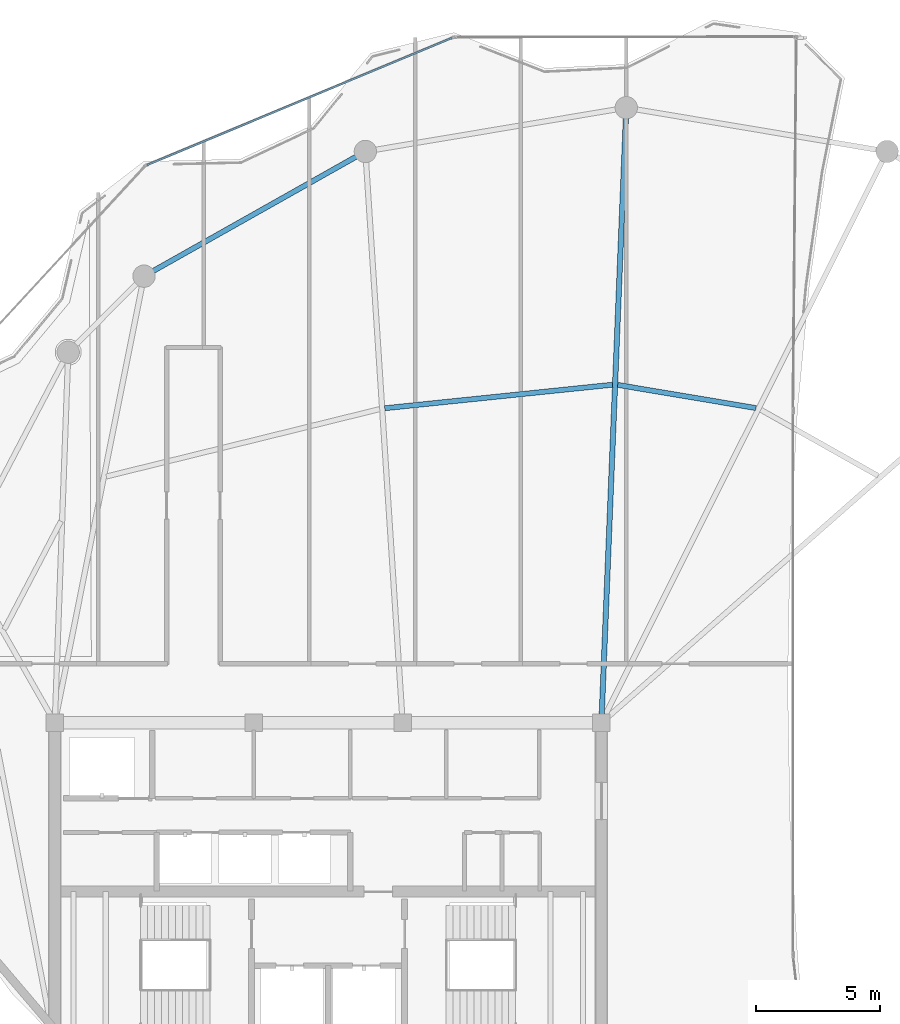
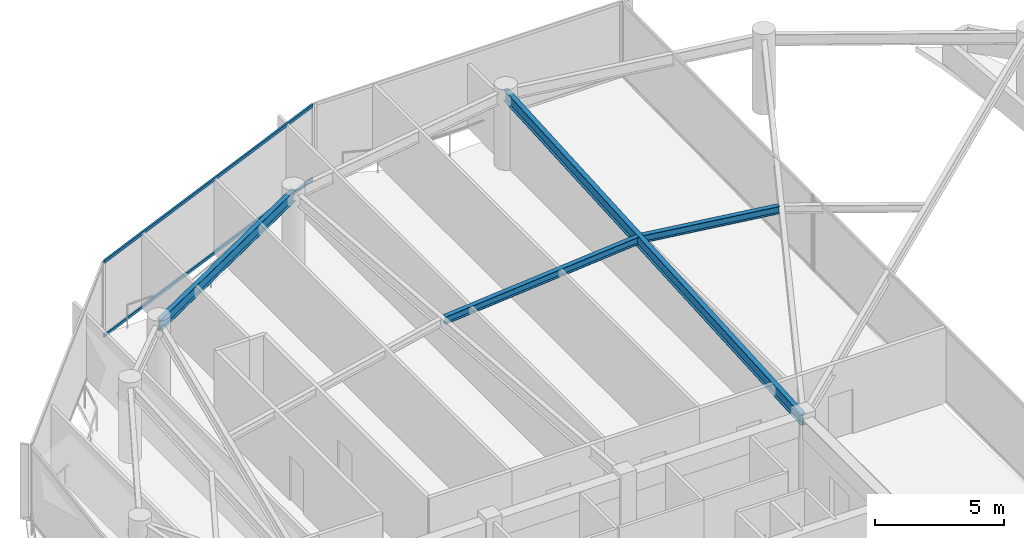
# One storey, part 14 of 22: 4 beams, 2 members, 1 element without a shape of its own.
"""IFC4 building model written with IfcOpenShell, lengths in metres."""

from ifc_helpers import new_model, si_unit, direction, frame, origin, origin_2d, place, context, subcontext, project, spatial, hollow_rectangle, i_section, extrude, material, layer, layer_set, material_profile, profile_set, type_object, element, aggregate, save


model = new_model("IFC4")

# Units and contexts
model_context = context("Model", 3, precision=1e-05, world=origin(), true_north=direction((0.0, 1.0)))
body_context = subcontext(model_context, "Body", "Model", "MODEL_VIEW")
ifc_project = project(units=[si_unit("LENGTHUNIT", "METRE"), si_unit("AREAUNIT", "SQUARE_METRE"), si_unit("VOLUMEUNIT", "CUBIC_METRE"), si_unit("PLANEANGLEUNIT", "RADIAN"), si_unit("MASSUNIT", "GRAM", prefix="KILO")], contexts=[model_context])

# Site, building, storey
site_placement = place(None, origin())
site = spatial("IfcSite", under=ifc_project, at=site_placement, CompositionType="ELEMENT")
building_placement = place(site_placement, origin())
building = spatial("IfcBuilding", under=site, at=building_placement, Name="Kazevale Care Tower and Concert Hall", CompositionType="ELEMENT")
storey_placement = place(building_placement, frame((0.0, 0.0, 273.800048828125)))
storey = spatial("IfcBuildingStorey", under=building, at=storey_placement, Name="L72", CompositionType="ELEMENT", Elevation=273.800048828125)

# Curtain wall, members
ifc_material_1 = material(Name="Aluminium 6063-T6 and Low-E Glass", Category="aluminium")
ifc_layer = layer(ifc_material_1, 0.179931640625)
ifc_layer_set = layer_set([ifc_layer], Name="Aluminium 6063-T6 and Low-E Glass")
curtain_wall_type = type_object("IfcCurtainWallType", Name="Waist & Upper Residential Curtain Wall CW-4", PredefinedType="NOTDEFINED", material=ifc_layer_set)
curtain_wall_placement = place(storey_placement, origin())
curtain_wall = element("IfcCurtainWall", 1, at=curtain_wall_placement, inside=storey, type_object=curtain_wall_type, Name="cw:L72:f11", PredefinedType="NOTDEFINED")
ifc_material_2 = material(Name="Aluminium 6063-T6", Category="aluminium")
ifc_material_profile_1 = material_profile(ifc_material_2, hollow_rectangle(XDim=0.080078125, YDim=0.139892578125, WallThickness=0.00390625, at=origin_2d()), Name="ALU80x140x4")
ifc_profile_set_1 = profile_set([ifc_material_profile_1], Name="Aluminium 6063-T6")
member_type = type_object("IfcMemberType", Name="CW-4 Transom ALU80x140x4", PredefinedType="USERDEFINED", material=ifc_profile_set_1)
member_1_placement = place(storey_placement, frame((25.71484375, 58.8447265625, 0.0400390625), z_axis=(0.923045940802, 0.384689733642, 0.0), x_axis=(-0.384689733642, 0.923045940802, 0.0)))
member_1 = element("IfcMember", 2, at=member_1_placement, type_object=member_type, Name="CW-4 transom 1.1", ObjectType="TRANSOM", PredefinedType="USERDEFINED", context=body_context, shape_type="SweptSolid", body=[
    extrude(hollow_rectangle(XDim=0.080078125, YDim=0.139892578125, WallThickness=0.00390625, at=origin_2d()), origin(), (0.0, 0.0, 1.0), 13.2900390625),
])
member_2_placement = place(storey_placement, frame((25.71484375, 58.8447265625, 3.52001953125), z_axis=(0.923045940802, 0.384689733642, 0.0), x_axis=(-0.384689733642, 0.923045940802, 0.0)))
member_2 = element("IfcMember", 3, at=member_2_placement, type_object=member_type, Name="CW-4 transom 1.2", ObjectType="TRANSOM", PredefinedType="USERDEFINED", context=body_context, shape_type="SweptSolid", body=[
    extrude(hollow_rectangle(XDim=0.080078125, YDim=0.139892578125, WallThickness=0.00390625, at=origin_2d()), origin(), (0.0, 0.0, 1.0), 13.2900390625),
])
aggregate(curtain_wall, [member_1, member_2])

# Beams
ifc_material_3 = material(Name="Steel ASTM A572 Gr 50", Category="steel")
ifc_material_profile_2 = material_profile(ifc_material_3, i_section(OverallWidth=0.2119140625, OverallDepth=0.5439453125, WebThickness=0.01318359375, FlangeThickness=0.021240234375, at=origin_2d()), Name="W530x123")
ifc_profile_set_2 = profile_set([ifc_material_profile_2], Name="Steel ASTM A572 Gr 50")
beam_type_1 = type_object("IfcBeamType", Name="Radial Floor Girder W530x123", PredefinedType="BEAM", material=ifc_profile_set_2)
beam_1_placement = place(storey_placement, frame((44.0, 36.39990234375, 3.287841796875), z_axis=(0.040371101203, 0.999184754781, 0.0), x_axis=(-0.999184754781, 0.040371101203, 0.0)))
element("IfcBeam", 4, at=beam_1_placement, inside=storey, type_object=beam_type_1, Name="beam:L72:rad:05", PredefinedType="BEAM", context=body_context, shape_type="SweptSolid", body=[
    extrude(i_section(OverallWidth=0.2119140625, OverallDepth=0.5439453125, WebThickness=0.01318359375, FlangeThickness=0.021240234375, at=origin_2d()), origin(), (0.0, 0.0, 1.0), 24.770263671875),
])
ifc_material_profile_3 = material_profile(ifc_material_3, i_section(OverallWidth=0.205078125, OverallDepth=0.35400390625, WebThickness=0.009521484375, FlangeThickness=0.016845703125, at=origin_2d()), Name="W360x79")
ifc_profile_set_3 = profile_set([ifc_material_profile_3], Name="Steel ASTM A572 Gr 50")
beam_type_2 = type_object("IfcBeamType", Name="Secondary Floor Joist W360x79", PredefinedType="JOIST", material=ifc_profile_set_3)
beam_2_placement = place(storey_placement, frame((50.220947265625, 49.06201171875, 3.383056640625), z_axis=(-0.986241534462, 0.165310724705, 0.0), x_axis=(-0.165310724705, -0.986241534462, 0.0)))
element("IfcBeam", 5, at=beam_2_placement, inside=storey, type_object=beam_type_2, Name="beam:L72:joist:04", PredefinedType="JOIST", context=body_context, shape_type="SweptSolid", body=[
    extrude(i_section(OverallWidth=0.205078125, OverallDepth=0.35400390625, WebThickness=0.009521484375, FlangeThickness=0.016845703125, at=origin_2d()), origin(), (0.0, 0.0, 1.0), 5.64453125),
])
beam_3_placement = place(storey_placement, frame((44.446044921875, 50.001953125, 3.383056640625), z_axis=(-0.994706089671, -0.10276086401, 0.0), x_axis=(0.10276086401, -0.994706089671, 0.0)))
element("IfcBeam", 6, at=beam_3_placement, inside=storey, type_object=beam_type_2, Name="beam:L72:joist:05", PredefinedType="JOIST", context=body_context, shape_type="SweptSolid", body=[
    extrude(i_section(OverallWidth=0.205078125, OverallDepth=0.35400390625, WebThickness=0.009521484375, FlangeThickness=0.016845703125, at=origin_2d()), origin(), (0.0, 0.0, 1.0), 9.2158203125),
])
ifc_material_profile_4 = material_profile(ifc_material_3, i_section(OverallWidth=0.208984375, OverallDepth=0.532958984375, WebThickness=0.01025390625, FlangeThickness=0.015625, at=origin_2d()), Name="W530x92")
ifc_profile_set_4 = profile_set([ifc_material_profile_4], Name="Steel ASTM A572 Gr 50")
beam_type_3 = type_object("IfcBeamType", Name="Upper Ring Beam W530x92", PredefinedType="BEAM", material=ifc_profile_set_4)
beam_4_placement = place(storey_placement, frame((34.5, 59.389892578125, 3.29345703125), z_axis=(-0.871243170179, -0.490851646035, 0.0), x_axis=(0.490851646035, -0.871243170179, 0.0)))
element("IfcBeam", 7, at=beam_4_placement, inside=storey, type_object=beam_type_3, Name="beam:L72:ring:06", PredefinedType="BEAM", context=body_context, shape_type="SweptSolid", body=[
    extrude(i_section(OverallWidth=0.208984375, OverallDepth=0.532958984375, WebThickness=0.01025390625, FlangeThickness=0.015625, at=origin_2d()), origin(), (0.0, 0.0, 1.0), 10.2265625),
])

save(model, "model.ifc")
